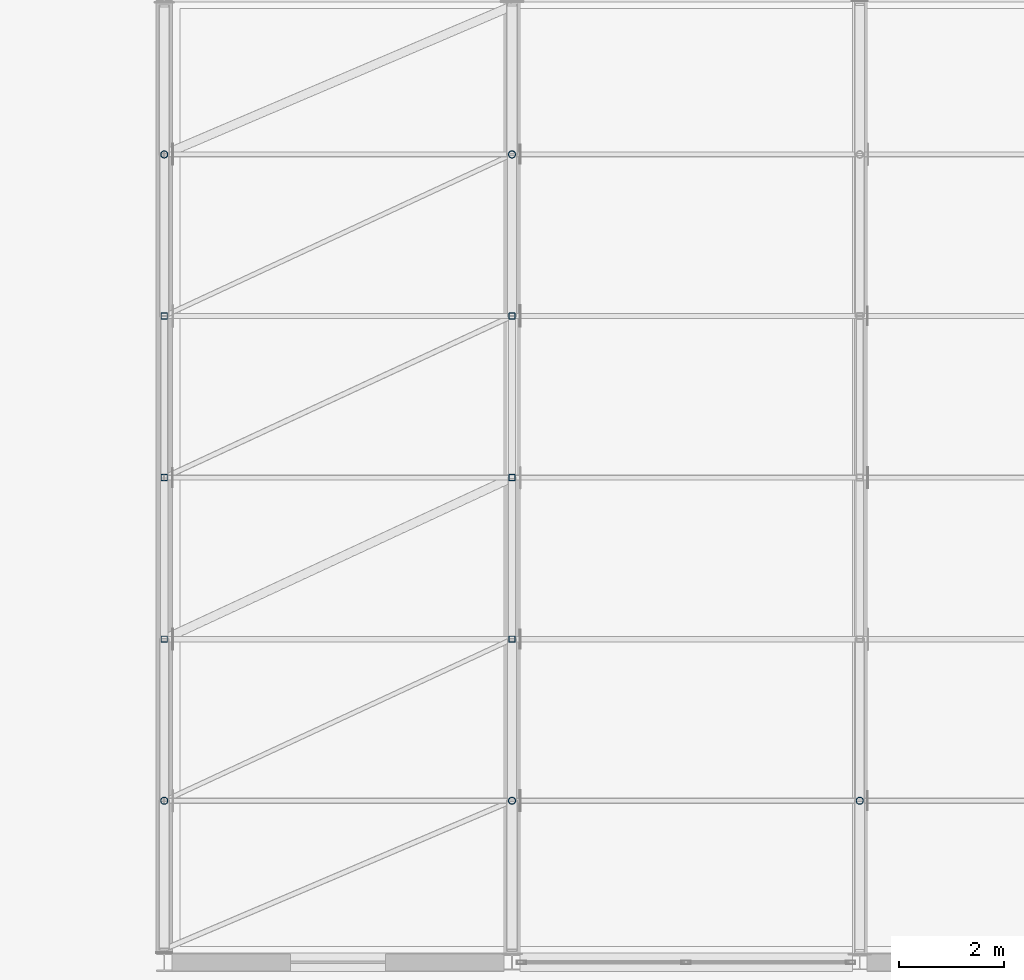
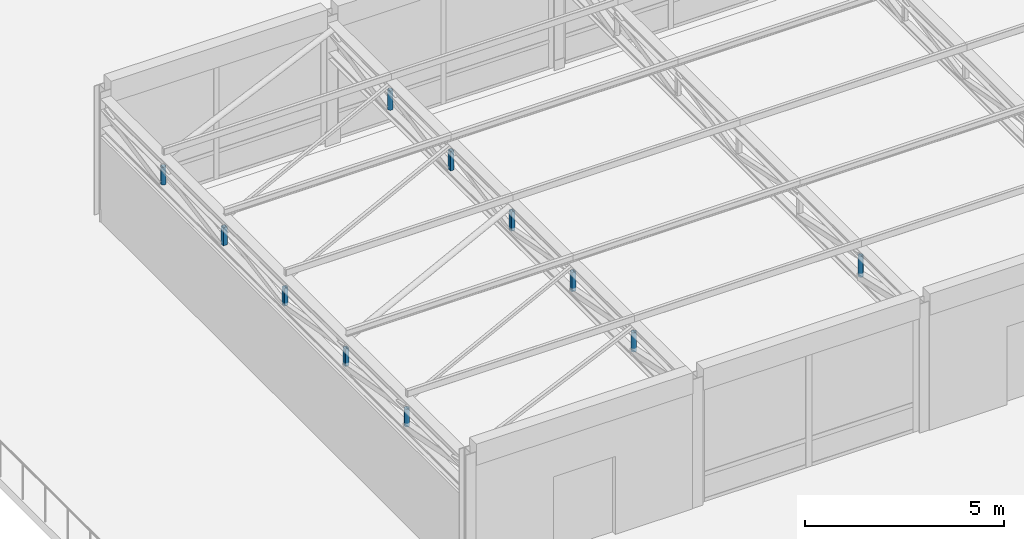
# One storey, part 48 of 92: 11 members.
"""IFC4 building model written with IfcOpenShell, lengths in metres."""

from ifc_helpers import new_model, si_unit, direction, frame, origin, origin_2d, place, context, subcontext, project, spatial, hollow_rectangle, hollow_circle, extrude, material, material_profile, profile_set, type_object, element, save


model = new_model("IFC4")

# Units and contexts
model_context = context("Model", 3, precision=1e-05, world=origin(), true_north=direction((0.0, 1.0)))
body_context = subcontext(model_context, "Body", "Model", "MODEL_VIEW")
ifc_project = project(units=[si_unit("LENGTHUNIT", "METRE"), si_unit("AREAUNIT", "SQUARE_METRE"), si_unit("VOLUMEUNIT", "CUBIC_METRE"), si_unit("PLANEANGLEUNIT", "RADIAN"), si_unit("MASSUNIT", "GRAM", prefix="KILO")], contexts=[model_context])

# Site, building, storey
site_placement = place(None, origin())
site = spatial("IfcSite", under=ifc_project, at=site_placement, CompositionType="ELEMENT")
building_placement = place(site_placement, origin())
building = spatial("IfcBuilding", under=site, at=building_placement, Name="Kernevlak Ridge Housing Community", CompositionType="ELEMENT")
storey_placement = place(building_placement, frame((0.0, 0.0, 4.199951171875)))
storey = spatial("IfcBuildingStorey", under=building, at=storey_placement, Name="L01", CompositionType="ELEMENT", Elevation=4.199951171875)

# Members
ifc_material = material(Name="Steel S355", Category="steel")
ifc_material_profile_1 = material_profile(ifc_material, hollow_rectangle(XDim=0.1201171875, YDim=0.1201171875, WallThickness=0.00634765625, InnerFilletRadius=0.00634765625, OuterFilletRadius=0.009521484375, at=origin_2d()), Name="SHS 120x120x6.3")
ifc_profile_set_1 = profile_set([ifc_material_profile_1], Name="Steel S355")
member_type_1 = type_object("IfcMemberType", Name="BR-05", PredefinedType="BRACE", material=ifc_profile_set_1)
for number, where, z_axis, x_axis, name in (
    (1, (64.199951171875, 55.933349609375, 2.864990234375), (0.0, 0.0, 1.0), (1.0, 0.0, 0.0), "Community Hall roof truss 1 vertical post 2"),
    (2, (64.199951171875, 59.0, 2.864990234375), (0.0, 0.0, 1.0), (1.0, 0.0, 0.0), "Community Hall roof truss 1 vertical post 3"),
    (3, (64.199951171875, 62.066650390625, 2.864990234375), (0.0, 0.0, 1.0), (1.0, 0.0, 0.0), "Community Hall roof truss 1 vertical post 4"),
):
    element("IfcMember", number, at=place(storey_placement, frame(where, z_axis=z_axis, x_axis=x_axis)), inside=storey, type_object=member_type_1, Name=name, PredefinedType="BRACE", context=body_context, shape_type="SweptSolid", body=[
        extrude(hollow_rectangle(XDim=0.1201171875, YDim=0.1201171875, WallThickness=0.00634765625, InnerFilletRadius=0.00634765625, OuterFilletRadius=0.009521484375, at=origin_2d()), origin(), (0.0, 0.0, 1.0), 0.545166015625),
    ])
for number, where, z_axis, x_axis, name in (
    (4, (70.800048828125, 55.933349609375, 2.85498046875), (0.0, 0.0, 1.0), (1.0, 0.0, 0.0), "Community Hall roof truss 2 vertical post 2"),
    (5, (70.800048828125, 59.0, 2.85498046875), (0.0, 0.0, 1.0), (1.0, 0.0, 0.0), "Community Hall roof truss 2 vertical post 3"),
    (6, (70.800048828125, 62.066650390625, 2.85498046875), (0.0, 0.0, 1.0), (1.0, 0.0, 0.0), "Community Hall roof truss 2 vertical post 4"),
):
    element("IfcMember", number, at=place(storey_placement, frame(where, z_axis=z_axis, x_axis=x_axis)), inside=storey, type_object=member_type_1, Name=name, PredefinedType="BRACE", context=body_context, shape_type="SweptSolid", body=[
        extrude(hollow_rectangle(XDim=0.1201171875, YDim=0.1201171875, WallThickness=0.00634765625, InnerFilletRadius=0.00634765625, OuterFilletRadius=0.009521484375, at=origin_2d()), origin(), (0.0, 0.0, 1.0), 0.594970703125),
    ])
ifc_material_profile_2 = material_profile(ifc_material, hollow_circle(Radius=0.06982421875, WallThickness=0.008056640625, at=origin_2d()), Name="CHS 139.7x8")
ifc_profile_set_2 = profile_set([ifc_material_profile_2], Name="Steel S355")
member_type_2 = type_object("IfcMemberType", Name="BR-09", PredefinedType="BRACE", material=ifc_profile_set_2)
for number, where, z_axis, x_axis, name in (
    (7, (64.199951171875, 52.86669921875, 2.864990234375), (0.0, 0.0, 1.0), (1.0, 0.0, 0.0), "Community Hall roof truss 1 vertical post 1"),
    (8, (64.199951171875, 65.13330078125, 2.864990234375), (0.0, 0.0, 1.0), (1.0, 0.0, 0.0), "Community Hall roof truss 1 vertical post 5"),
):
    element("IfcMember", number, at=place(storey_placement, frame(where, z_axis=z_axis, x_axis=x_axis)), inside=storey, type_object=member_type_2, Name=name, PredefinedType="BRACE", context=body_context, shape_type="SweptSolid", body=[
        extrude(hollow_circle(Radius=0.06982421875, WallThickness=0.008056640625, at=origin_2d()), origin(), (0.0, 0.0, 1.0), 0.545166015625),
    ])
for number, where, z_axis, x_axis, name in (
    (9, (70.800048828125, 52.86669921875, 2.85498046875), (0.0, 0.0, 1.0), (1.0, 0.0, 0.0), "Community Hall roof truss 2 vertical post 1"),
    (10, (70.800048828125, 65.13330078125, 2.85498046875), (0.0, 0.0, 1.0), (1.0, 0.0, 0.0), "Community Hall roof truss 2 vertical post 5"),
):
    element("IfcMember", number, at=place(storey_placement, frame(where, z_axis=z_axis, x_axis=x_axis)), inside=storey, type_object=member_type_2, Name=name, PredefinedType="BRACE", context=body_context, shape_type="SweptSolid", body=[
        extrude(hollow_circle(Radius=0.06982421875, WallThickness=0.008056640625, at=origin_2d()), origin(), (0.0, 0.0, 1.0), 0.594970703125),
    ])
member_placement = place(storey_placement, frame((77.39990234375, 52.86669921875, 2.844970703125), z_axis=(0.0, 0.0, 1.0), x_axis=(1.0, 0.0, 0.0)))
element("IfcMember", 11, at=member_placement, inside=storey, type_object=member_type_2, Name="Community Hall roof truss 3 vertical post 1", PredefinedType="BRACE", context=body_context, shape_type="SweptSolid", body=[
    extrude(hollow_circle(Radius=0.06982421875, WallThickness=0.008056640625, at=origin_2d()), origin(), (0.0, 0.0, 1.0), 0.64501953125),
])

save(model, "model.ifc")
